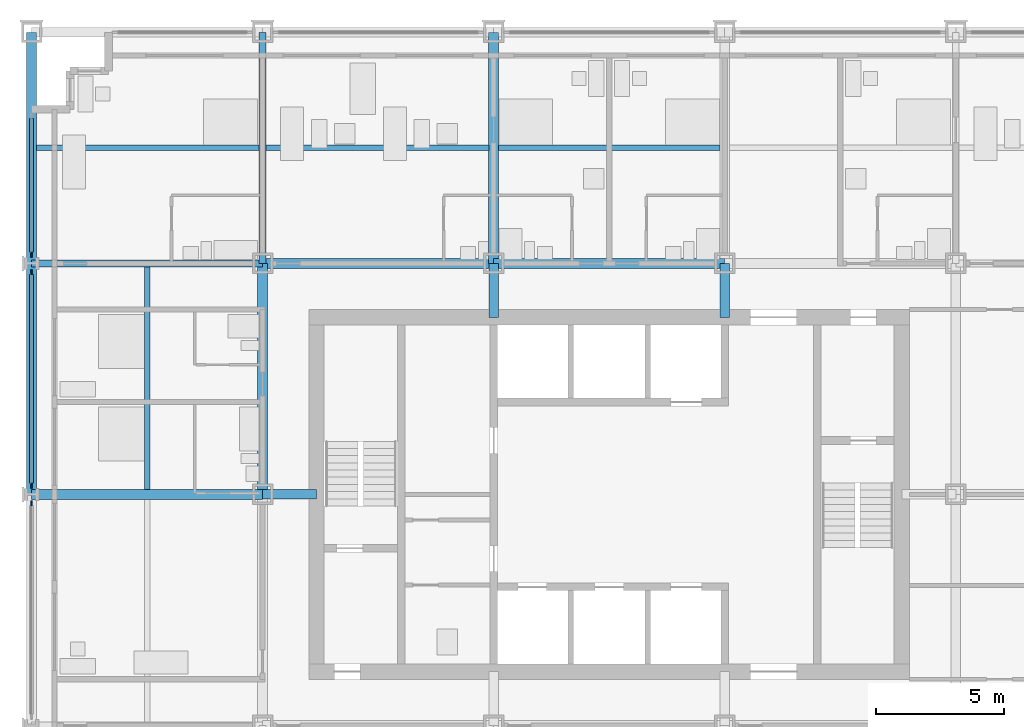
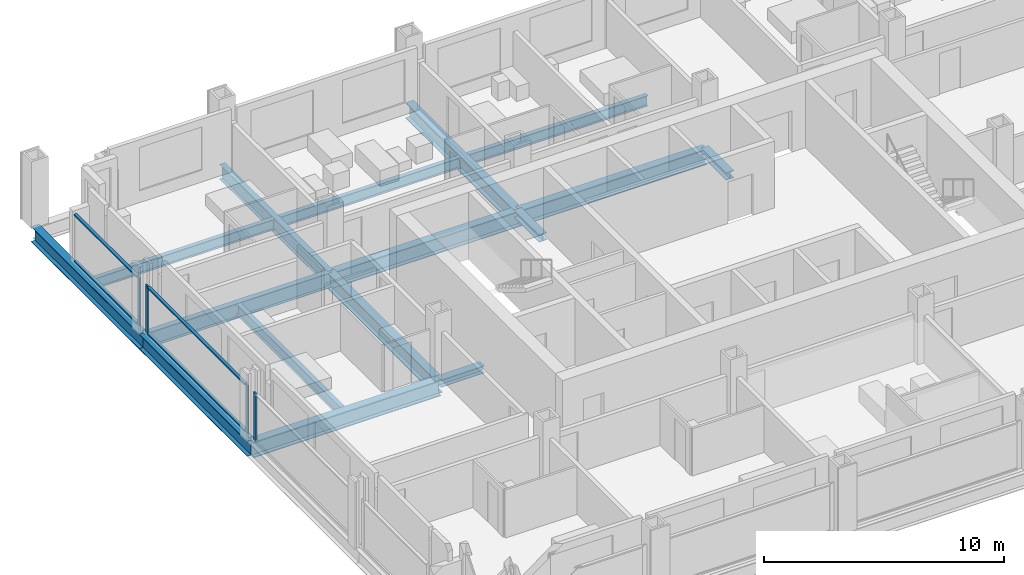
# One storey, part 4 of 18: 13 beams, 11 members, 3 elements without a shape of their own.
"""IFC4 building model written with IfcOpenShell, lengths in metres."""

from ifc_helpers import new_model, si_unit, direction, frame, origin, origin_2d, place, context, subcontext, project, spatial, rectangle, i_section, extrude, material, material_profile, profile_set, type_object, element, aggregate, save


model = new_model("IFC4")

# Units and contexts
model_context = context("Model", 3, precision=1e-05, world=origin(), true_north=direction((0.0, 1.0)))
body_context = subcontext(model_context, "Body", "Model", "MODEL_VIEW")
ifc_project = project(units=[si_unit("LENGTHUNIT", "METRE"), si_unit("AREAUNIT", "SQUARE_METRE"), si_unit("VOLUMEUNIT", "CUBIC_METRE"), si_unit("PLANEANGLEUNIT", "RADIAN"), si_unit("MASSUNIT", "GRAM", prefix="KILO")], contexts=[model_context])

# Site, building, storey
site_placement = place(None, origin())
site = spatial("IfcSite", under=ifc_project, at=site_placement, CompositionType="ELEMENT")
building_placement = place(site_placement, origin())
building = spatial("IfcBuilding", under=site, at=building_placement, Name="Loomwork Tower", CompositionType="ELEMENT")
storey_placement = place(building_placement, frame((0.0, 0.0, 41.60009765625)))
storey = spatial("IfcBuildingStorey", under=building, at=storey_placement, Name="L09", CompositionType="ELEMENT", Elevation=41.60009765625)

# Beams
ifc_material_1 = material(Name="Steel ASTM A992", Category="steel")
ifc_material_profile_1 = material_profile(ifc_material_1, i_section(OverallWidth=0.383544921875, OverallDepth=0.794921875, WebThickness=0.02099609375, FlangeThickness=0.0380859375, at=origin_2d()), Name="W30x235")
ifc_profile_set_1 = profile_set([ifc_material_profile_1], Name="Steel ASTM A992")
beam_type_1 = type_object("IfcBeamType", Name="CORE FLANK GIRDER W30x235", PredefinedType="BEAM", material=ifc_profile_set_1)
for number, where, z_axis, x_axis, name in (
    (1, (0.0, 18.0, -0.59765625), (1.0, 0.0, 0.0), (0.0, 1.0, 0.0), "Core Flank Girder F/2-F/3 L09"),
    (2, (9.0, 27.0, -0.59765625), (1.0, 0.0, 0.0), (0.0, 1.0, 0.0), "Core Flank Girder G/3-G/4 L09"),
    (3, (18.0, 27.0, -0.59765625), (1.0, 0.0, 0.0), (0.0, 1.0, 0.0), "Core Flank Girder G/4-G/5 L09"),
    (4, (9.0, 18.0, -0.59765625), (0.0, 1.0, 0.0), (-1.0, 0.0, 0.0), "Core Flank Girder F/3-G/3 L09"),
    (5, (18.0, 27.0, -0.59765625), (0.0, 1.0, 0.0), (-1.0, 0.0, 0.0), "Core Flank Girder G/4-H/4 L09"),
):
    element("IfcBeam", number, at=place(storey_placement, frame(where, z_axis=z_axis, x_axis=x_axis)), inside=storey, type_object=beam_type_1, Name=name, PredefinedType="BEAM", context=body_context, shape_type="SweptSolid", body=[
        extrude(i_section(OverallWidth=0.383544921875, OverallDepth=0.794921875, WebThickness=0.02099609375, FlangeThickness=0.0380859375, at=origin_2d()), origin(), (0.0, 0.0, 1.0), 9.0),
    ])

# Members
ifc_material_2 = material(Name="Steel ASTM A992", Category="steel")
ifc_material_profile_2 = material_profile(ifc_material_2, i_section(OverallWidth=0.373291015625, OverallDepth=0.373291015625, WebThickness=0.016357421875, FlangeThickness=0.026123046875, at=origin_2d()), Name="W14x132")
ifc_profile_set_2 = profile_set([ifc_material_profile_2], Name="Steel ASTM A992")
member_type_1 = type_object("IfcMemberType", Name="CORE LINK STRUT W14x132", PredefinedType="STRUT", material=ifc_profile_set_2)
for number, where, z_axis, x_axis, name in (
    (6, (27.0, 27.0, -0.38671875), (0.0, -1.0, 0.0), (1.0, 0.0, 0.0), "Core link strut G/5-27.000,24.900 L09"),
    (7, (18.0, 27.0, -0.38671875), (0.0, -1.0, 0.0), (1.0, 0.0, 0.0), "Core link strut G/4-18.000,24.900 L09"),
    (8, (9.0, 18.0, -0.38671875), (1.0, 0.0, 0.0), (0.0, 1.0, 0.0), "Core link strut F/3-11.100,18.000 L09"),
):
    element("IfcMember", number, at=place(storey_placement, frame(where, z_axis=z_axis, x_axis=x_axis)), inside=storey, type_object=member_type_1, Name=name, PredefinedType="STRUT", context=body_context, shape_type="SweptSolid", body=[
        extrude(i_section(OverallWidth=0.373291015625, OverallDepth=0.373291015625, WebThickness=0.016357421875, FlangeThickness=0.026123046875, at=origin_2d()), origin(), (0.0, 0.0, 1.0), 2.10009765625),
    ])

# Beams
ifc_material_3 = material(Name="Steel ASTM A992", Category="steel")
ifc_material_profile_3 = material_profile(ifc_material_3, i_section(OverallWidth=0.2666015625, OverallDepth=0.761962890625, WebThickness=0.014404296875, FlangeThickness=0.021484375, at=origin_2d()), Name="W30x116")
ifc_profile_set_3 = profile_set([ifc_material_profile_3], Name="Steel ASTM A992")
beam_type_2 = type_object("IfcBeamType", Name="FLOOR GIRDER W30x116", PredefinedType="BEAM", material=ifc_profile_set_3)
for number, where, z_axis, x_axis, name in (
    (9, (0.0, 27.0, -0.5810546875), (1.0, 0.0, 0.0), (0.0, 1.0, 0.0), "Floor Girder G/2-G/3 L09"),
    (10, (9.0, 27.0, -0.5810546875), (0.0, 1.0, 0.0), (-1.0, 0.0, 0.0), "Floor Girder G/3-H/3 L09"),
):
    element("IfcBeam", number, at=place(storey_placement, frame(where, z_axis=z_axis, x_axis=x_axis)), inside=storey, type_object=beam_type_2, Name=name, PredefinedType="BEAM", context=body_context, shape_type="SweptSolid", body=[
        extrude(i_section(OverallWidth=0.2666015625, OverallDepth=0.761962890625, WebThickness=0.014404296875, FlangeThickness=0.021484375, at=origin_2d()), origin(), (0.0, 0.0, 1.0), 9.0),
    ])
ifc_material_4 = material(Name="Steel ASTM A992", Category="steel")
ifc_material_profile_4 = material_profile(ifc_material_4, i_section(OverallWidth=0.2109375, OverallDepth=0.53857421875, WebThickness=0.011474609375, FlangeThickness=0.018798828125, at=origin_2d()), Name="W21x73")
ifc_profile_set_4 = profile_set([ifc_material_profile_4], Name="Steel ASTM A992")
beam_type_3 = type_object("IfcBeamType", Name="FLOOR JOIST W21x73", PredefinedType="JOIST", material=ifc_profile_set_4)
beam_1_placement = place(storey_placement, frame((4.5, 18.19091796875, -0.46923828125), z_axis=(0.0, 1.0, 0.0), x_axis=(-1.0, 0.0, 0.0)))
element("IfcBeam", 11, at=beam_1_placement, inside=storey, type_object=beam_type_3, Name="Floor Joist 4.500,18.000-4.500,27.000 L09", PredefinedType="JOIST", context=body_context, shape_type="SweptSolid", body=[
    extrude(i_section(OverallWidth=0.2109375, OverallDepth=0.53857421875, WebThickness=0.011474609375, FlangeThickness=0.018798828125, at=origin_2d()), origin(), (0.0, 0.0, 1.0), 8.676025390625),
])
beam_2_placement = place(storey_placement, frame((0.18994140625, 31.5, -0.46923828125), z_axis=(1.0, 0.0, 0.0), x_axis=(0.0, 1.0, 0.0)))
element("IfcBeam", 12, at=beam_2_placement, inside=storey, type_object=beam_type_3, Name="Floor Joist 0.000,31.500-9.000,31.500 L09", PredefinedType="JOIST", context=body_context, shape_type="SweptSolid", body=[
    extrude(i_section(OverallWidth=0.2109375, OverallDepth=0.53857421875, WebThickness=0.011474609375, FlangeThickness=0.018798828125, at=origin_2d()), origin(), (0.0, 0.0, 1.0), 8.677001953125),
])
beam_3_placement = place(storey_placement, frame((9.133056640625, 31.5, -0.46923828125), z_axis=(1.0, 0.0, 0.0), x_axis=(0.0, 1.0, 0.0)))
element("IfcBeam", 13, at=beam_3_placement, inside=storey, type_object=beam_type_3, Name="Floor Joist 9.000,31.500-18.000,31.500 L09", PredefinedType="JOIST", context=body_context, shape_type="SweptSolid", body=[
    extrude(i_section(OverallWidth=0.2109375, OverallDepth=0.53857421875, WebThickness=0.011474609375, FlangeThickness=0.018798828125, at=origin_2d()), origin(), (0.0, 0.0, 1.0), 8.676025390625),
])
beam_4_placement = place(storey_placement, frame((18.19091796875, 31.5, -0.46923828125), z_axis=(1.0, 0.0, 0.0), x_axis=(0.0, 1.0, 0.0)))
element("IfcBeam", 14, at=beam_4_placement, inside=storey, type_object=beam_type_3, Name="Floor Joist 18.000,31.500-27.000,31.500 L09", PredefinedType="JOIST", context=body_context, shape_type="SweptSolid", body=[
    extrude(i_section(OverallWidth=0.2109375, OverallDepth=0.53857421875, WebThickness=0.011474609375, FlangeThickness=0.018798828125, at=origin_2d()), origin(), (0.0, 0.0, 1.0), 8.6181640625),
])

# Curtain wall, member
ifc_material_5 = material(Name="Aluminium curtain wall frame", Category="aluminium")
curtain_wall_type = type_object("IfcCurtainWallType", Name="Outer skin glazing hotel", PredefinedType="NOTDEFINED", material=ifc_material_5)
curtain_wall_1_placement = place(storey_placement, origin())
curtain_wall_1 = element("IfcCurtainWall", 15, at=curtain_wall_1_placement, inside=storey, type_object=curtain_wall_type, Name="Outer skin glazing hotel cw/W-9", PredefinedType="NOTDEFINED")
ifc_material_6 = material(Name="Aluminium curtain wall frame", Category="aluminium")
ifc_material_profile_5 = material_profile(ifc_material_6, rectangle(XDim=0.06494140625, YDim=0.199951171875, at=origin_2d()), Name="AL 65x200")
ifc_profile_set_5 = profile_set([ifc_material_profile_5], Name="Aluminium curtain wall frame")
member_type_2 = type_object("IfcMemberType", Name="Outer skin glazing hotel mullion", PredefinedType="MULLION", material=ifc_profile_set_5)
member_1_placement = place(storey_placement, frame((0.0, 17.6611328125, 0.0), z_axis=(0.0, 0.0, 1.0), x_axis=(1.0, 0.0, 0.0)))
member_1 = element("IfcMember", 16, at=member_1_placement, type_object=member_type_2, Name="CW1 mullion 1", PredefinedType="MULLION", context=body_context, shape_type="SweptSolid", body=[
    extrude(rectangle(XDim=0.06494140625, YDim=0.199951171875, at=origin_2d()), origin(), (0.0, 0.0, 1.0), 2.420166015625),
])
aggregate(curtain_wall_1, [member_1])

# Curtain wall, members
curtain_wall_2_placement = place(storey_placement, origin())
curtain_wall_2 = element("IfcCurtainWall", 17, at=curtain_wall_2_placement, inside=storey, type_object=curtain_wall_type, Name="Outer skin glazing hotel cw/W-18", PredefinedType="NOTDEFINED")
member_2_placement = place(storey_placement, frame((0.0, 26.6611328125, 0.0), z_axis=(0.0, 0.0, 1.0), x_axis=(1.0, 0.0, 0.0)))
member_2 = element("IfcMember", 18, at=member_2_placement, type_object=member_type_2, Name="CW1 mullion 1", PredefinedType="MULLION", context=body_context, shape_type="SweptSolid", body=[
    extrude(rectangle(XDim=0.06494140625, YDim=0.199951171875, at=origin_2d()), origin(), (0.0, 0.0, 1.0), 2.420166015625),
])
member_3_placement = place(storey_placement, frame((0.0, 18.3388671875, 0.0), z_axis=(0.0, 0.0, 1.0), x_axis=(1.0, 0.0, 0.0)))
member_3 = element("IfcMember", 19, at=member_3_placement, type_object=member_type_2, Name="CW1 mullion 2", PredefinedType="MULLION", context=body_context, shape_type="SweptSolid", body=[
    extrude(rectangle(XDim=0.06494140625, YDim=0.199951171875, at=origin_2d()), origin(), (0.0, 0.0, 1.0), 2.420166015625),
])

# Curtain wall, member
curtain_wall_3_placement = place(storey_placement, origin())
curtain_wall_3 = element("IfcCurtainWall", 20, at=curtain_wall_3_placement, inside=storey, type_object=curtain_wall_type, Name="Outer skin glazing hotel cw/W-27", PredefinedType="NOTDEFINED")
member_4_placement = place(storey_placement, frame((0.0, 27.3388671875, 0.0), z_axis=(0.0, 0.0, 1.0), x_axis=(1.0, 0.0, 0.0)))
member_4 = element("IfcMember", 21, at=member_4_placement, type_object=member_type_2, Name="CW1 mullion 2", PredefinedType="MULLION", context=body_context, shape_type="SweptSolid", body=[
    extrude(rectangle(XDim=0.06494140625, YDim=0.199951171875, at=origin_2d()), origin(), (0.0, 0.0, 1.0), 2.420166015625),
])

# Member
ifc_material_7 = material(Name="Aluminium curtain wall frame", Category="aluminium")
ifc_material_profile_6 = material_profile(ifc_material_7, rectangle(XDim=0.14990234375, YDim=0.06494140625, at=origin_2d()), Name="AL 65x150")
ifc_profile_set_6 = profile_set([ifc_material_profile_6], Name="Aluminium curtain wall frame")
member_type_3 = type_object("IfcMemberType", Name="Outer skin glazing hotel transom", PredefinedType="USERDEFINED", material=ifc_profile_set_6)
member_5_placement = place(storey_placement, frame((0.0, 26.561279296875, 0.032470703125), z_axis=(0.0, -1.0, 0.0), x_axis=(1.0, 0.0, 0.0)))
member_5 = element("IfcMember", 22, at=member_5_placement, type_object=member_type_3, Name="CW1 transom 1.1", ObjectType="TRANSOM", PredefinedType="USERDEFINED", context=body_context, shape_type="SweptSolid", body=[
    extrude(rectangle(XDim=0.14990234375, YDim=0.06494140625, at=origin_2d()), origin(), (0.0, 0.0, 1.0), 8.12255859375),
])

member_6_placement = place(storey_placement, frame((0.0, 26.561279296875, 2.3876953125), z_axis=(0.0, -1.0, 0.0), x_axis=(1.0, 0.0, 0.0)))
member_6 = element("IfcMember", 23, at=member_6_placement, type_object=member_type_3, Name="CW1 transom 1.2", ObjectType="TRANSOM", PredefinedType="USERDEFINED", context=body_context, shape_type="SweptSolid", body=[
    extrude(rectangle(XDim=0.14990234375, YDim=0.06494140625, at=origin_2d()), origin(), (0.0, 0.0, 1.0), 8.12255859375),
])

aggregate(curtain_wall_2, [member_2, member_3, member_5, member_6])

member_7_placement = place(storey_placement, frame((0.0, 32.64990234375, 0.032470703125), z_axis=(0.0, -1.0, 0.0), x_axis=(1.0, 0.0, 0.0)))
member_7 = element("IfcMember", 24, at=member_7_placement, type_object=member_type_3, Name="CW1 transom 1.1", ObjectType="TRANSOM", PredefinedType="USERDEFINED", context=body_context, shape_type="SweptSolid", body=[
    extrude(rectangle(XDim=0.14990234375, YDim=0.06494140625, at=origin_2d()), origin(), (0.0, 0.0, 1.0), 5.211181640625),
])

member_8_placement = place(storey_placement, frame((0.0, 32.64990234375, 2.3876953125), z_axis=(0.0, -1.0, 0.0), x_axis=(1.0, 0.0, 0.0)))
member_8 = element("IfcMember", 25, at=member_8_placement, type_object=member_type_3, Name="CW1 transom 1.2", ObjectType="TRANSOM", PredefinedType="USERDEFINED", context=body_context, shape_type="SweptSolid", body=[
    extrude(rectangle(XDim=0.14990234375, YDim=0.06494140625, at=origin_2d()), origin(), (0.0, 0.0, 1.0), 5.211181640625),
])

aggregate(curtain_wall_3, [member_4, member_7, member_8])

# Beams
ifc_material_8 = material(Name="Steel ASTM A992", Category="steel")
ifc_material_profile_7 = material_profile(ifc_material_8, i_section(OverallWidth=0.381103515625, OverallDepth=0.77978515625, WebThickness=0.01806640625, FlangeThickness=0.0302734375, at=origin_2d()), Name="W30x191")
ifc_profile_set_7 = profile_set([ifc_material_profile_7], Name="Steel ASTM A992")
beam_type_4 = type_object("IfcBeamType", Name="SPANDREL GIRDER W30x191", PredefinedType="SPANDREL", material=ifc_profile_set_7)
for number, where, z_axis, x_axis, name in (
    (26, (0.0, 18.0, -0.590087890625), (0.0, 1.0, 0.0), (-1.0, 0.0, 0.0), "Spandrel Girder F/2-G/2 L09"),
    (27, (0.0, 27.0, -0.590087890625), (0.0, 1.0, 0.0), (-1.0, 0.0, 0.0), "Spandrel Girder G/2-H/2 L09"),
):
    element("IfcBeam", number, at=place(storey_placement, frame(where, z_axis=z_axis, x_axis=x_axis)), inside=storey, type_object=beam_type_4, Name=name, PredefinedType="SPANDREL", context=body_context, shape_type="SweptSolid", body=[
        extrude(i_section(OverallWidth=0.381103515625, OverallDepth=0.77978515625, WebThickness=0.01806640625, FlangeThickness=0.0302734375, at=origin_2d()), origin(), (0.0, 0.0, 1.0), 9.0),
    ])

save(model, "model.ifc")
